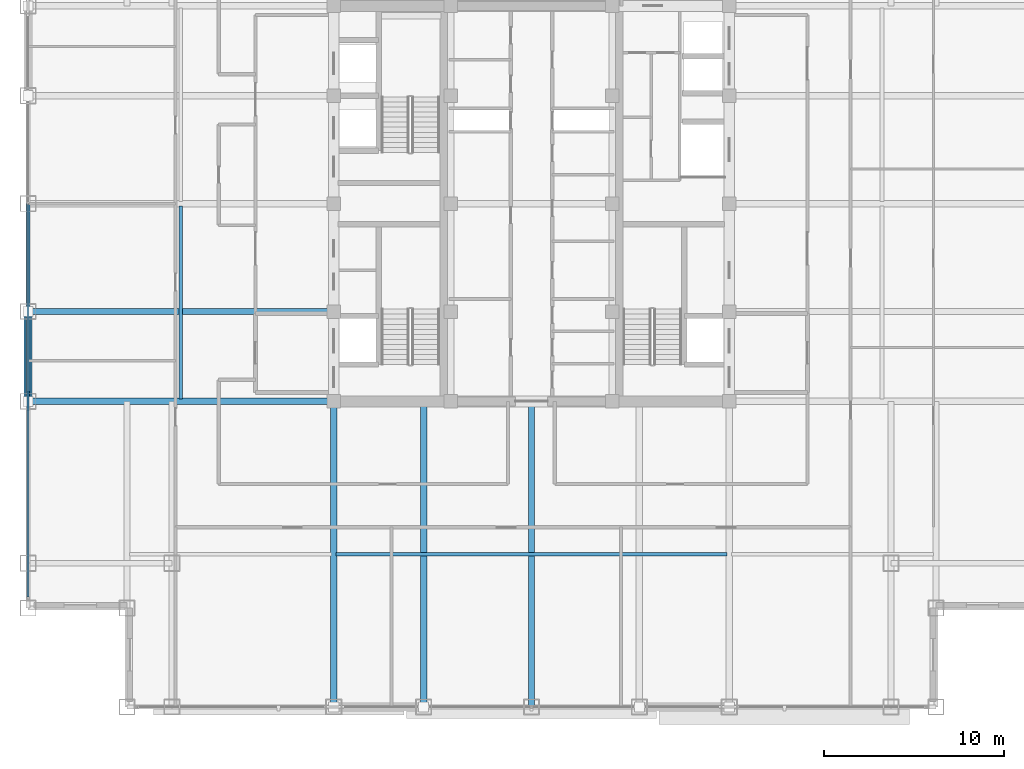
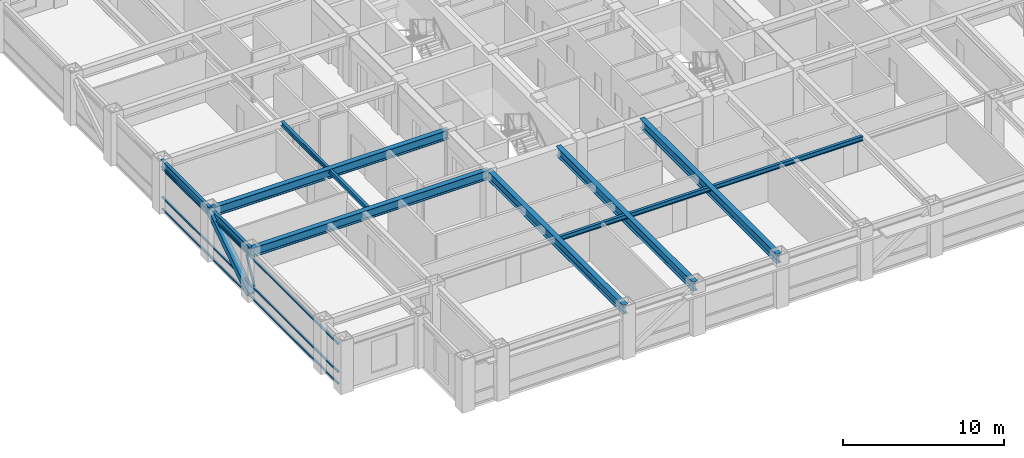
# One storey, part 5 of 27: 9 beams, 5 members, 1 element without a shape of its own.
"""IFC4 building model written with IfcOpenShell, lengths in metres."""

from ifc_helpers import new_model, si_unit, direction, frame, origin, origin_2d, place, context, subcontext, project, spatial, hollow_rectangle, i_section, extrude, source, transform, mapped, material, material_profile, profile_set, type_object, element, aggregate, save


model = new_model("IFC4")

# Units and contexts
model_context = context("Model", 3, precision=1e-05, world=origin(), true_north=direction((0.0, 1.0)))
body_context = subcontext(model_context, "Body", "Model", "MODEL_VIEW")
ifc_project = project(units=[si_unit("LENGTHUNIT", "METRE"), si_unit("AREAUNIT", "SQUARE_METRE"), si_unit("VOLUMEUNIT", "CUBIC_METRE"), si_unit("PLANEANGLEUNIT", "RADIAN"), si_unit("MASSUNIT", "GRAM", prefix="KILO")], contexts=[model_context])

# Site, building, storey
site_placement = place(None, origin())
site = spatial("IfcSite", under=ifc_project, at=site_placement, CompositionType="ELEMENT")
building_placement = place(site_placement, origin())
building = spatial("IfcBuilding", under=site, at=building_placement, Name="Khorayat Bourse Tower", CompositionType="ELEMENT")
storey_placement = place(building_placement, frame((0.0, 0.0, 313.5)))
storey = spatial("IfcBuildingStorey", under=building, at=storey_placement, Name="L74", CompositionType="ELEMENT", Elevation=313.5)

# Member
ifc_material_1 = material(Name="Steel EN 10025-4 S460M", Category="steel")
ifc_material_profile_1 = material_profile(ifc_material_1, hollow_rectangle(XDim=0.449951171875, YDim=0.449951171875, WallThickness=0.02490234375, at=origin_2d()), Name="HSS 450x450x25")
ifc_profile_set_1 = profile_set([ifc_material_profile_1], Name="Steel EN 10025-4 S460M")
member_type_1 = type_object("IfcMemberType", Name="MBR-TUBE-450", PredefinedType="BRACE", material=ifc_profile_set_1)
shared_shape_1 = source(origin(), body_context, "Body", "SweptSolid", [
    extrude(hollow_rectangle(XDim=0.449951171875, YDim=0.449951171875, WallThickness=0.02490234375, at=origin_2d()), origin(), (0.0, 0.0, 1.0), 5.979736328125),
])
member_1_placement = place(storey_placement, frame((-28.0, -11.0, 0.25), z_axis=(0.0, 0.836141536525, 0.548513747227), x_axis=(-1.0, 0.0, 0.0)))
element("IfcMember", 1, at=member_1_placement, inside=storey, type_object=member_type_1, Name="L74 Perimeter Tube Brace 05", PredefinedType="BRACE", context=body_context, shape_type="MappedRepresentation", body=[
    mapped(shared_shape_1, transform((0.0, 0.0, 0.0), scale=1.0)),
])

# Beams
ifc_material_2 = material(Name="Steel ASTM A992 Grade 50", Category="steel")
ifc_material_profile_2 = material_profile(ifc_material_2, i_section(OverallWidth=0.35498046875, OverallDepth=0.695068359375, WebThickness=0.015380859375, FlangeThickness=0.02490234375, FilletRadius=0.01806640625, at=origin_2d()), Name="W690X217")
ifc_profile_set_2 = profile_set([ifc_material_profile_2], Name="Steel ASTM A992 Grade 50")
beam_type_1 = type_object("IfcBeamType", Name="BM-GIRD-690", PredefinedType="BEAM", material=ifc_profile_set_2)
shared_shape_2 = source(origin(), body_context, "Body", "SweptSolid", [
    extrude(i_section(OverallWidth=0.35498046875, OverallDepth=0.695068359375, WebThickness=0.015380859375, FlangeThickness=0.02490234375, FilletRadius=0.01806640625, at=origin_2d()), origin(), (0.0, 0.0, 1.0), 17.0),
])
for number, where, z_axis, x_axis, name in (
    (2, (-11.0, -28.0, 3.4326171875), (0.0, 1.0, 0.0), (-1.0, 0.0, 0.0), "L74 BM-GIRD-690 BM-L74-RADY-065"),
    (3, (-6.0, -28.0, 3.4326171875), (0.0, 1.0, 0.0), (-1.0, 0.0, 0.0), "L74 BM-GIRD-690 BM-L74-RADY-067"),
    (4, (0.0, -28.0, 3.4326171875), (0.0, 1.0, 0.0), (-1.0, 0.0, 0.0), "L74 BM-GIRD-690 BM-L74-RADY-069"),
    (5, (-28.0, -11.0, 3.4326171875), (1.0, 0.0, 0.0), (0.0, 1.0, 0.0), "L74 BM-GIRD-690 BM-L74-RADX-075"),
    (6, (-28.0, -6.0, 3.4326171875), (1.0, 0.0, 0.0), (0.0, 1.0, 0.0), "L74 BM-GIRD-690 BM-L74-RADX-077"),
):
    element("IfcBeam", number, at=place(storey_placement, frame(where, z_axis=z_axis, x_axis=x_axis)), inside=storey, type_object=beam_type_1, Name=name, PredefinedType="BEAM", context=body_context, shape_type="MappedRepresentation", body=[
        mapped(shared_shape_2, transform((0.0, 0.0, 0.0), scale=1.0)),
    ])
ifc_material_profile_3 = material_profile(ifc_material_2, i_section(OverallWidth=0.202880859375, OverallDepth=0.346923828125, WebThickness=0.0078125, FlangeThickness=0.013427734375, FilletRadius=0.010009765625, at=origin_2d()), Name="W360X64")
ifc_profile_set_3 = profile_set([ifc_material_profile_3], Name="Steel ASTM A992 Grade 50")
beam_type_2 = type_object("IfcBeamType", Name="BM-JOIST-360", PredefinedType="JOIST", material=ifc_profile_set_3)
shared_shape_3 = source(origin(), body_context, "Body", "SweptSolid", [
    extrude(i_section(OverallWidth=0.202880859375, OverallDepth=0.346923828125, WebThickness=0.0078125, FlangeThickness=0.013427734375, FilletRadius=0.010009765625, at=origin_2d()), origin(), (0.0, 0.0, 1.0), 21.740234375),
])
beam_1_placement = place(storey_placement, frame((-10.8701171875, -19.5, 3.6064453125), z_axis=(1.0, 0.0, 0.0), x_axis=(0.0, 1.0, 0.0)))
element("IfcBeam", 7, at=beam_1_placement, inside=storey, type_object=beam_type_2, Name="L74 BM-JOIST-360 BM-L74-JSTX-097", PredefinedType="JOIST", context=body_context, shape_type="MappedRepresentation", body=[
    mapped(shared_shape_3, transform((0.0, 0.0, 0.0), scale=1.0)),
])
shared_shape_4 = source(origin(), body_context, "Body", "SweptSolid", [
    extrude(i_section(OverallWidth=0.202880859375, OverallDepth=0.346923828125, WebThickness=0.0078125, FlangeThickness=0.013427734375, FilletRadius=0.010009765625, at=origin_2d()), origin(), (0.0, 0.0, 1.0), 10.740234375),
])
beam_2_placement = place(storey_placement, frame((-19.5, -10.8701171875, 3.6064453125), z_axis=(0.0, 1.0, 0.0), x_axis=(-1.0, 0.0, 0.0)))
element("IfcBeam", 8, at=beam_2_placement, inside=storey, type_object=beam_type_2, Name="L74 BM-JOIST-360 BM-L74-JSTY-102", PredefinedType="JOIST", context=body_context, shape_type="MappedRepresentation", body=[
    mapped(shared_shape_4, transform((0.0, 0.0, 0.0), scale=1.0)),
])
ifc_material_profile_4 = material_profile(ifc_material_2, i_section(OverallWidth=0.214111328125, OverallDepth=0.549072265625, WebThickness=0.0146484375, FlangeThickness=0.023681640625, FilletRadius=0.013916015625, at=origin_2d()), Name="W530X138")
ifc_profile_set_4 = profile_set([ifc_material_profile_4], Name="Steel ASTM A992 Grade 50")
beam_type_3 = type_object("IfcBeamType", Name="BM-SPAN-530", PredefinedType="SPANDREL", material=ifc_profile_set_4)
shared_shape_5 = source(origin(), body_context, "Body", "SweptSolid", [
    extrude(i_section(OverallWidth=0.214111328125, OverallDepth=0.549072265625, WebThickness=0.0146484375, FlangeThickness=0.023681640625, FilletRadius=0.013916015625, at=origin_2d()), origin(), (0.0, 0.0, 1.0), 5.0),
])
beam_3_placement = place(storey_placement, frame((-28.0, -11.0, 3.505615234375), z_axis=(0.0, 1.0, 0.0), x_axis=(-1.0, 0.0, 0.0)))
element("IfcBeam", 9, at=beam_3_placement, inside=storey, type_object=beam_type_3, Name="L74 BM-SPAN-530 BM-L74-SPN-059", PredefinedType="SPANDREL", context=body_context, shape_type="MappedRepresentation", body=[
    mapped(shared_shape_5, transform((0.0, 0.0, 0.0), scale=1.0)),
])
shared_shape_6 = source(origin(), body_context, "Body", "SweptSolid", [
    extrude(i_section(OverallWidth=0.214111328125, OverallDepth=0.549072265625, WebThickness=0.0146484375, FlangeThickness=0.023681640625, FilletRadius=0.013916015625, at=origin_2d()), origin(), (0.0, 0.0, 1.0), 6.0),
])
beam_4_placement = place(storey_placement, frame((-28.0, -6.0, 3.505615234375), z_axis=(0.0, 1.0, 0.0), x_axis=(-1.0, 0.0, 0.0)))
element("IfcBeam", 10, at=beam_4_placement, inside=storey, type_object=beam_type_3, Name="L74 BM-SPAN-530 BM-L74-SPN-058", PredefinedType="SPANDREL", context=body_context, shape_type="MappedRepresentation", body=[
    mapped(shared_shape_6, transform((0.0, 0.0, 0.0), scale=1.0)),
])

# Curtain wall, members
ifc_material_3 = material(Name="Aluminium EN AW-6063 T6", Category="aluminium")
curtain_wall_type = type_object("IfcCurtainWallType", Name="CW-SYS-04", PredefinedType="NOTDEFINED", material=ifc_material_3)
curtain_wall_placement = place(storey_placement, origin())
curtain_wall = element("IfcCurtainWall", 11, at=curtain_wall_placement, inside=storey, type_object=curtain_wall_type, Name="L74 Curtain Wall CW-L74-W1", PredefinedType="NOTDEFINED")
ifc_material_profile_5 = material_profile(ifc_material_3, hollow_rectangle(XDim=0.1201171875, YDim=0.1201171875, WallThickness=0.0048828125, at=origin_2d()), Name="ALU 120x120x5")
ifc_profile_set_5 = profile_set([ifc_material_profile_5], Name="Aluminium EN AW-6063 T6")
member_type_2 = type_object("IfcMemberType", Name="CWM-DIAG-120", PredefinedType="MULLION", material=ifc_profile_set_5)
shared_shape_7 = source(origin(), body_context, "Body", "SweptSolid", [
    extrude(hollow_rectangle(XDim=0.1201171875, YDim=0.1201171875, WallThickness=0.0048828125, at=origin_2d()), origin(), (0.0, 0.0, 1.0), 2.0791015625),
])
member_2_placement = place(storey_placement, frame((-28.0, -11.4541015625, 1.090087890625), z_axis=(0.0, 0.465717394116, 0.884933505309), x_axis=(-1.0, 0.0, 0.0)))
member_2 = element("IfcMember", 12, at=member_2_placement, type_object=member_type_2, Name="CW-L74-W1 Faceted Diagonal Mullion 1", PredefinedType="MULLION", context=body_context, shape_type="MappedRepresentation", body=[
    mapped(shared_shape_7, transform((0.0, 0.0, 0.0), scale=1.0)),
])
ifc_material_profile_6 = material_profile(ifc_material_3, hollow_rectangle(XDim=0.1201171875, YDim=0.1201171875, WallThickness=0.0048828125, at=origin_2d()), Name="ALU 120x120x5")
ifc_profile_set_6 = profile_set([ifc_material_profile_6], Name="Aluminium EN AW-6063 T6")
member_type_3 = type_object("IfcMemberType", Name="CWT-HORZ-120", PredefinedType="USERDEFINED", material=ifc_profile_set_6)
shared_shape_8 = source(origin(), body_context, "Body", "SweptSolid", [
    extrude(hollow_rectangle(XDim=0.1201171875, YDim=0.1201171875, WallThickness=0.0048828125, at=origin_2d()), origin(), (0.0, 0.0, 1.0), 21.81982421875),
])
member_3_placement = place(storey_placement, frame((-28.0, -21.8798828125, 0.06005859375), z_axis=(0.0, 1.0, 0.0), x_axis=(-1.0, 0.0, 0.0)))
member_3 = element("IfcMember", 13, at=member_3_placement, type_object=member_type_3, Name="CW-L74-W1 Horizontal Transom 1-1", ObjectType="TRANSOM", PredefinedType="USERDEFINED", context=body_context, shape_type="MappedRepresentation", body=[
    mapped(shared_shape_8, transform((0.0, 0.0, 0.0), scale=1.0)),
])
member_4_placement = place(storey_placement, frame((-28.0, -21.8798828125, 0.949951171875), z_axis=(0.0, 1.0, 0.0), x_axis=(-1.0, 0.0, 0.0)))
member_4 = element("IfcMember", 14, at=member_4_placement, type_object=member_type_3, Name="CW-L74-W1 Horizontal Transom 1-2", ObjectType="TRANSOM", PredefinedType="USERDEFINED", context=body_context, shape_type="MappedRepresentation", body=[
    mapped(shared_shape_8, transform((0.0, 0.0, 0.0), scale=1.0)),
])
member_5_placement = place(storey_placement, frame((-28.0, -21.8798828125, 3.070068359375), z_axis=(0.0, 1.0, 0.0), x_axis=(-1.0, 0.0, 0.0)))
member_5 = element("IfcMember", 15, at=member_5_placement, type_object=member_type_3, Name="CW-L74-W1 Horizontal Transom 1-3", ObjectType="TRANSOM", PredefinedType="USERDEFINED", context=body_context, shape_type="MappedRepresentation", body=[
    mapped(shared_shape_8, transform((0.0, 0.0, 0.0), scale=1.0)),
])
aggregate(curtain_wall, [member_3, member_4, member_5, member_2])

save(model, "model.ifc")
